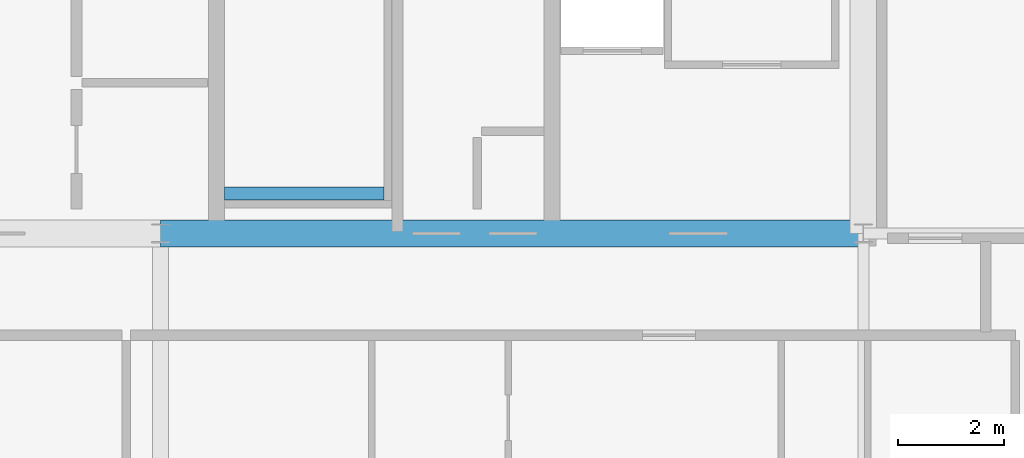
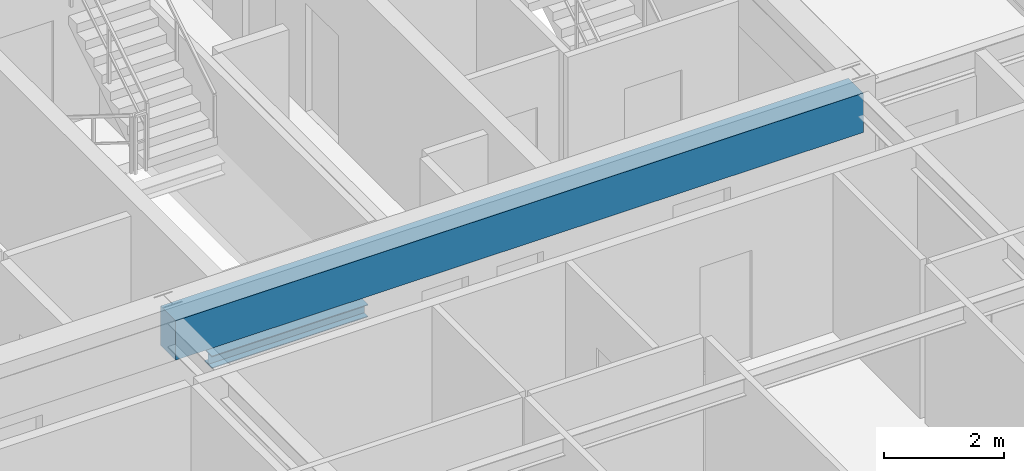
# One storey, part 10 of 35: 2 beams.
"""IFC4 building model written with IfcOpenShell, lengths in metres."""

from ifc_helpers import new_model, si_unit, direction, frame, origin, origin_2d, place, context, subcontext, project, spatial, rectangle, i_section, extrude, source, transform, mapped, material, material_profile, profile_set, type_object, element, save


model = new_model("IFC4")

# Units and contexts
model_context = context("Model", 3, precision=1e-05, world=origin(), true_north=direction((0.0, 1.0)))
body_context = subcontext(model_context, "Body", "Model", "MODEL_VIEW")
ifc_project = project(units=[si_unit("LENGTHUNIT", "METRE"), si_unit("AREAUNIT", "SQUARE_METRE"), si_unit("VOLUMEUNIT", "CUBIC_METRE"), si_unit("PLANEANGLEUNIT", "RADIAN"), si_unit("MASSUNIT", "GRAM", prefix="KILO"), si_unit("THERMODYNAMICTEMPERATUREUNIT", "KELVIN"), si_unit("POWERUNIT", "WATT")], contexts=[model_context])

# Site, building, storey
site_placement = place(None, origin())
site = spatial("IfcSite", under=ifc_project, at=site_placement, CompositionType="ELEMENT")
building_placement = place(site_placement, origin())
building = spatial("IfcBuilding", under=site, at=building_placement, Name="Yuzanri Waterfront Tower", CompositionType="ELEMENT")
storey_placement = place(building_placement, frame((0.0, 0.0, 303.10009765625)))
storey = spatial("IfcBuildingStorey", under=building, at=storey_placement, Name="L81", CompositionType="ELEMENT", Elevation=303.10009765625)

# Beams
ifc_material_1 = material(Name="Concrete C50", Category="concrete")
ifc_material_profile_1 = material_profile(ifc_material_1, rectangle(XDim=0.5, YDim=0.800048828125, at=origin_2d()), Name="RC 500x800")
ifc_profile_set_1 = profile_set([ifc_material_profile_1], Name="Concrete C50")
beam_type_1 = type_object("IfcBeamType", Name="Core Coupling Lintel Concrete C50 500x800", PredefinedType="LINTEL", material=ifc_profile_set_1)
shared_shape_1 = source(origin(), body_context, "Body", "SweptSolid", [
    extrude(rectangle(XDim=0.5, YDim=0.800048828125, at=origin_2d()), origin(), (0.0, 0.0, 1.0), 13.199951171875),
])
beam_1_placement = place(storey_placement, frame((37.0, 19.39990234375, 2.81982421875), z_axis=(1.0, 0.0, 0.0), x_axis=(0.0, 1.0, 0.0)))
element("IfcBeam", 1, at=beam_1_placement, inside=storey, type_object=beam_type_1, Name="L81 Core Tie Beam CS2", PredefinedType="LINTEL", context=body_context, shape_type="MappedRepresentation", body=[
    mapped(shared_shape_1, transform((0.0, 0.0, 0.0), scale=1.0)),
])
ifc_material_2 = material(Name="Steel Q355B", Category="steel")
ifc_material_profile_2 = material_profile(ifc_material_2, i_section(OverallWidth=0.25, OverallDepth=0.25, WebThickness=0.009033203125, FlangeThickness=0.013916015625, at=origin_2d()), Name="HW 250x250x9x14")
ifc_profile_set_2 = profile_set([ifc_material_profile_2], Name="Steel Q355B")
beam_type_2 = type_object("IfcBeamType", Name="Stair Landing Support Beam Q355B HW 250x250", PredefinedType="BEAM", material=ifc_profile_set_2)
shared_shape_2 = source(origin(), body_context, "Body", "SweptSolid", [
    extrude(i_section(OverallWidth=0.25, OverallDepth=0.25, WebThickness=0.009033203125, FlangeThickness=0.013916015625, at=origin_2d()), origin(), (0.0, 0.0, 1.0), 3.0),
])
beam_2_placement = place(storey_placement, frame((38.199951171875, 20.14990234375, 1.4248046875), z_axis=(1.0, 0.0, 0.0), x_axis=(0.0, 1.0, 0.0)))
element("IfcBeam", 2, at=beam_2_placement, inside=storey, type_object=beam_type_2, Name="L81 Stair Landing Support Beam ST-03-L81-L1-1", PredefinedType="BEAM", context=body_context, shape_type="MappedRepresentation", body=[
    mapped(shared_shape_2, transform((0.0, 0.0, 0.0), scale=1.0)),
])

save(model, "model.ifc")
